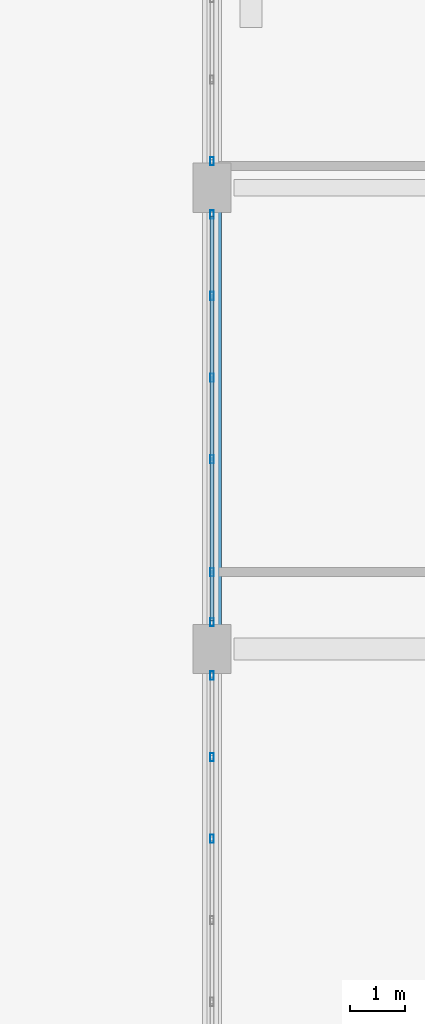
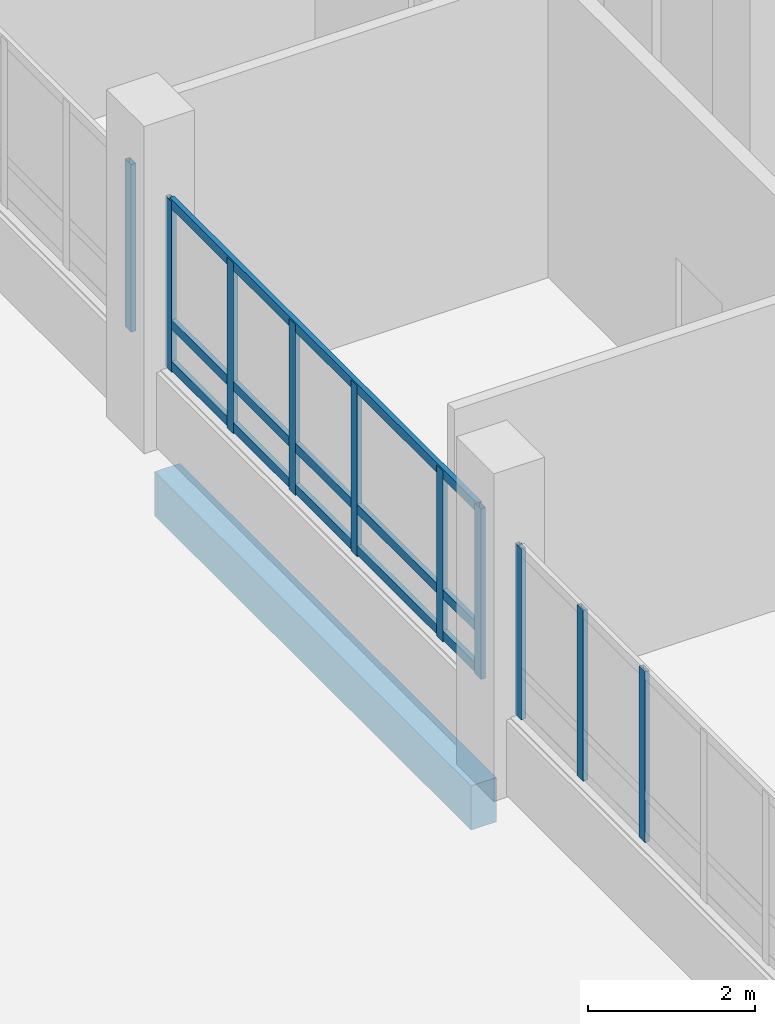
# One storey, part 33 of 95: 13 members, 1 beam, 3 elements without a shape of their own.
"""IFC4 building model written with IfcOpenShell, lengths in metres."""

from ifc_helpers import new_model, si_unit, direction, frame, origin, origin_2d, place, context, subcontext, project, spatial, rectangle, hollow_rectangle, extrude, material, layer, layer_set, material_profile, profile_set, type_object, element, aggregate, save


model = new_model("IFC4")

# Units and contexts
model_context = context("Model", 3, precision=1e-05, world=origin(), true_north=direction((0.0, 1.0)))
body_context = subcontext(model_context, "Body", "Model", "MODEL_VIEW")
ifc_project = project(units=[si_unit("LENGTHUNIT", "METRE"), si_unit("AREAUNIT", "SQUARE_METRE"), si_unit("VOLUMEUNIT", "CUBIC_METRE"), si_unit("PLANEANGLEUNIT", "RADIAN"), si_unit("MASSUNIT", "GRAM", prefix="KILO")], contexts=[model_context])

# Site, building, storey
site_placement = place(None, origin())
site = spatial("IfcSite", under=ifc_project, at=site_placement, CompositionType="ELEMENT")
building_placement = place(site_placement, origin())
building = spatial("IfcBuilding", under=site, at=building_placement, Name="Vireocrest Preparatory School", CompositionType="ELEMENT")
storey_placement = place(building_placement, origin())
storey = spatial("IfcBuildingStorey", under=building, at=storey_placement, Name="L00", CompositionType="ELEMENT", Elevation=0.0)

# Curtain wall, members
ifc_material_1 = material(Name="Thermally broken aluminium EN AW-6063-T6", Category="aluminium")
ifc_layer = layer(ifc_material_1, 0.179931640625)
ifc_layer_set = layer_set([ifc_layer], Name="Thermally broken aluminium EN AW-6063-T6")
curtain_wall_type = type_object("IfcCurtainWallType", Name="Court Banded Curtain Wall 8400x3600", PredefinedType="USERDEFINED", material=ifc_layer_set)
curtain_wall_1_placement = place(storey_placement, origin())
curtain_wall_1 = element("IfcCurtainWall", 1, at=curtain_wall_1_placement, inside=storey, type_object=curtain_wall_type, Name="Curtain Wall CW01 CW_L00_CW01_0924_0274_012", ObjectType="CURTAIN WALL", PredefinedType="USERDEFINED")
ifc_material_profile_1 = material_profile(ifc_material_1, hollow_rectangle(XDim=0.06494140625, YDim=0.14990234375, WallThickness=0.00390625, at=origin_2d()), Name="ALU 65x150x4")
ifc_profile_set_1 = profile_set([ifc_material_profile_1], Name="Thermally broken aluminium EN AW-6063-T6")
member_type_1 = type_object("IfcMemberType", Name="CW Mullion 65x150x4", PredefinedType="MULLION", material=ifc_profile_set_1)
member_1_placement = place(storey_placement, frame((92.39990234375, 31.943115234375, 1.14990234375), z_axis=(0.0, 0.0, 1.0), x_axis=(1.0, 0.0, 0.0)))
member_1 = element("IfcMember", 2, at=member_1_placement, type_object=member_type_1, Name="CW Mullion ML1 CW_L00_CW01_0924_0274_012-4", PredefinedType="MULLION", context=body_context, shape_type="SweptSolid", body=[
    extrude(hollow_rectangle(XDim=0.06494140625, YDim=0.14990234375, WallThickness=0.00390625, at=origin_2d()), origin(), (0.0, 0.0, 1.0), 2.505126953125),
])
member_2_placement = place(storey_placement, frame((92.39990234375, 33.428955078125, 1.14990234375), z_axis=(0.0, 0.0, 1.0), x_axis=(1.0, 0.0, 0.0)))
member_2 = element("IfcMember", 3, at=member_2_placement, type_object=member_type_1, Name="CW Mullion ML1 CW_L00_CW01_0924_0274_012-5", PredefinedType="MULLION", context=body_context, shape_type="SweptSolid", body=[
    extrude(hollow_rectangle(XDim=0.06494140625, YDim=0.14990234375, WallThickness=0.00390625, at=origin_2d()), origin(), (0.0, 0.0, 1.0), 2.505126953125),
])
member_3_placement = place(storey_placement, frame((92.39990234375, 34.9150390625, 1.14990234375), z_axis=(0.0, 0.0, 1.0), x_axis=(1.0, 0.0, 0.0)))
member_3 = element("IfcMember", 4, at=member_3_placement, type_object=member_type_1, Name="CW Mullion ML1 CW_L00_CW01_0924_0274_012-6", PredefinedType="MULLION", context=body_context, shape_type="SweptSolid", body=[
    extrude(hollow_rectangle(XDim=0.06494140625, YDim=0.14990234375, WallThickness=0.00390625, at=origin_2d()), origin(), (0.0, 0.0, 1.0), 2.505126953125),
])
aggregate(curtain_wall_1, [member_1, member_2, member_3])

curtain_wall_2_placement = place(storey_placement, origin())
curtain_wall_2 = element("IfcCurtainWall", 5, at=curtain_wall_2_placement, inside=storey, type_object=curtain_wall_type, Name="Curtain Wall CW01 CW_L00_CW01_0924_0358_012", ObjectType="CURTAIN WALL", PredefinedType="USERDEFINED")
member_4_placement = place(storey_placement, frame((92.39990234375, 35.885009765625, 1.14990234375), z_axis=(0.0, 0.0, 1.0), x_axis=(1.0, 0.0, 0.0)))
member_4 = element("IfcMember", 6, at=member_4_placement, type_object=member_type_1, Name="CW Mullion ML1 CW_L00_CW01_0924_0358_012-1", PredefinedType="MULLION", context=body_context, shape_type="SweptSolid", body=[
    extrude(hollow_rectangle(XDim=0.06494140625, YDim=0.14990234375, WallThickness=0.00390625, at=origin_2d()), origin(), (0.0, 0.0, 1.0), 2.505126953125),
])
member_5_placement = place(storey_placement, frame((92.39990234375, 36.800048828125, 1.14990234375), z_axis=(0.0, 0.0, 1.0), x_axis=(1.0, 0.0, 0.0)))
member_5 = element("IfcMember", 7, at=member_5_placement, type_object=member_type_1, Name="CW Mullion ML1 CW_L00_CW01_0924_0358_012-2", PredefinedType="MULLION", context=body_context, shape_type="SweptSolid", body=[
    extrude(hollow_rectangle(XDim=0.06494140625, YDim=0.14990234375, WallThickness=0.00390625, at=origin_2d()), origin(), (0.0, 0.0, 1.0), 2.505126953125),
])
member_6_placement = place(storey_placement, frame((92.39990234375, 38.85693359375, 1.14990234375), z_axis=(0.0, 0.0, 1.0), x_axis=(1.0, 0.0, 0.0)))
member_6 = element("IfcMember", 8, at=member_6_placement, type_object=member_type_1, Name="CW Mullion ML1 CW_L00_CW01_0924_0358_012-3", PredefinedType="MULLION", context=body_context, shape_type="SweptSolid", body=[
    extrude(hollow_rectangle(XDim=0.06494140625, YDim=0.14990234375, WallThickness=0.00390625, at=origin_2d()), origin(), (0.0, 0.0, 1.0), 2.505126953125),
])
member_7_placement = place(storey_placement, frame((92.39990234375, 40.343017578125, 1.14990234375), z_axis=(0.0, 0.0, 1.0), x_axis=(1.0, 0.0, 0.0)))
member_7 = element("IfcMember", 9, at=member_7_placement, type_object=member_type_1, Name="CW Mullion ML1 CW_L00_CW01_0924_0358_012-4", PredefinedType="MULLION", context=body_context, shape_type="SweptSolid", body=[
    extrude(hollow_rectangle(XDim=0.06494140625, YDim=0.14990234375, WallThickness=0.00390625, at=origin_2d()), origin(), (0.0, 0.0, 1.0), 2.505126953125),
])
member_8_placement = place(storey_placement, frame((92.39990234375, 41.8291015625, 1.14990234375), z_axis=(0.0, 0.0, 1.0), x_axis=(1.0, 0.0, 0.0)))
member_8 = element("IfcMember", 10, at=member_8_placement, type_object=member_type_1, Name="CW Mullion ML1 CW_L00_CW01_0924_0358_012-5", PredefinedType="MULLION", context=body_context, shape_type="SweptSolid", body=[
    extrude(hollow_rectangle(XDim=0.06494140625, YDim=0.14990234375, WallThickness=0.00390625, at=origin_2d()), origin(), (0.0, 0.0, 1.0), 2.505126953125),
])
member_9_placement = place(storey_placement, frame((92.39990234375, 43.31494140625, 1.14990234375), z_axis=(0.0, 0.0, 1.0), x_axis=(1.0, 0.0, 0.0)))
member_9 = element("IfcMember", 11, at=member_9_placement, type_object=member_type_1, Name="CW Mullion ML1 CW_L00_CW01_0924_0358_012-6", PredefinedType="MULLION", context=body_context, shape_type="SweptSolid", body=[
    extrude(hollow_rectangle(XDim=0.06494140625, YDim=0.14990234375, WallThickness=0.00390625, at=origin_2d()), origin(), (0.0, 0.0, 1.0), 2.505126953125),
])

# Curtain wall, member
curtain_wall_3_placement = place(storey_placement, origin())
curtain_wall_3 = element("IfcCurtainWall", 12, at=curtain_wall_3_placement, inside=storey, type_object=curtain_wall_type, Name="Curtain Wall CW01 CW_L00_CW01_0924_0442_012", ObjectType="CURTAIN WALL", PredefinedType="USERDEFINED")
member_10_placement = place(storey_placement, frame((92.39990234375, 44.284912109375, 1.14990234375), z_axis=(0.0, 0.0, 1.0), x_axis=(1.0, 0.0, 0.0)))
member_10 = element("IfcMember", 13, at=member_10_placement, type_object=member_type_1, Name="CW Mullion ML1 CW_L00_CW01_0924_0442_012-1", PredefinedType="MULLION", context=body_context, shape_type="SweptSolid", body=[
    extrude(hollow_rectangle(XDim=0.06494140625, YDim=0.14990234375, WallThickness=0.00390625, at=origin_2d()), origin(), (0.0, 0.0, 1.0), 2.455078125),
])
aggregate(curtain_wall_3, [member_10])

# Member
ifc_material_profile_2 = material_profile(ifc_material_1, hollow_rectangle(XDim=0.06494140625, YDim=0.139892578125, WallThickness=0.00390625, at=origin_2d()), Name="ALU 65x140x4")
ifc_profile_set_2 = profile_set([ifc_material_profile_2], Name="Thermally broken aluminium EN AW-6063-T6")
member_type_2 = type_object("IfcMemberType", Name="CW Transom 65x140x4", PredefinedType="USERDEFINED", material=ifc_profile_set_2)
member_11_placement = place(storey_placement, frame((92.39990234375, 35.909912109375, 1.2451171875), z_axis=(0.0, 1.0, 0.0), x_axis=(-1.0, 0.0, 0.0)))
member_11 = element("IfcMember", 14, at=member_11_placement, type_object=member_type_2, Name="CW Transom TR1 CW_L00_CW01_0924_0358_012-1", ObjectType="TRANSOM", PredefinedType="USERDEFINED", context=body_context, shape_type="SweptSolid", body=[
    extrude(hollow_rectangle(XDim=0.06494140625, YDim=0.139892578125, WallThickness=0.00390625, at=origin_2d()), origin(), (0.0, 0.0, 1.0), 7.380126953125),
])

member_12_placement = place(storey_placement, frame((92.39990234375, 35.909912109375, 1.85009765625), z_axis=(0.0, 1.0, 0.0), x_axis=(-1.0, 0.0, 0.0)))
member_12 = element("IfcMember", 15, at=member_12_placement, type_object=member_type_2, Name="CW Transom TR1 CW_L00_CW01_0924_0358_012-2", ObjectType="TRANSOM", PredefinedType="USERDEFINED", context=body_context, shape_type="SweptSolid", body=[
    extrude(hollow_rectangle(XDim=0.06494140625, YDim=0.139892578125, WallThickness=0.00390625, at=origin_2d()), origin(), (0.0, 0.0, 1.0), 7.380126953125),
])

member_13_placement = place(storey_placement, frame((92.39990234375, 35.909912109375, 3.614990234375), z_axis=(0.0, 1.0, 0.0), x_axis=(-1.0, 0.0, 0.0)))
member_13 = element("IfcMember", 16, at=member_13_placement, type_object=member_type_2, Name="CW Transom TR1 CW_L00_CW01_0924_0358_012-3", ObjectType="TRANSOM", PredefinedType="USERDEFINED", context=body_context, shape_type="SweptSolid", body=[
    extrude(hollow_rectangle(XDim=0.06494140625, YDim=0.139892578125, WallThickness=0.00390625, at=origin_2d()), origin(), (0.0, 0.0, 1.0), 7.380126953125),
])

aggregate(curtain_wall_2, [member_4, member_5, member_6, member_7, member_8, member_9, member_11, member_12, member_13])

# Beam
ifc_material_2 = material(Name="Concrete 40 MPa", Category="concrete")
ifc_material_profile_3 = material_profile(ifc_material_2, rectangle(XDim=0.35009765625, YDim=0.64990234375, at=origin_2d()), Name="RC 350x650")
ifc_profile_set_3 = profile_set([ifc_material_profile_3], Name="Concrete 40 MPa")
beam_type = type_object("IfcBeamType", Name="RC Classroom Girder 350x650", PredefinedType="BEAM", material=ifc_profile_set_3)
beam_placement = place(storey_placement, frame((92.39990234375, 35.800048828125, -0.675048828125), z_axis=(0.0, 1.0, 0.0), x_axis=(-1.0, 0.0, 0.0)))
element("IfcBeam", 17, at=beam_placement, inside=storey, type_object=beam_type, Name="Primary Girder B05 L00-0196", PredefinedType="BEAM", context=body_context, shape_type="SweptSolid", body=[
    extrude(rectangle(XDim=0.35009765625, YDim=0.64990234375, at=origin_2d()), origin(), (0.0, 0.0, 1.0), 7.599853515625),
])

save(model, "model.ifc")
